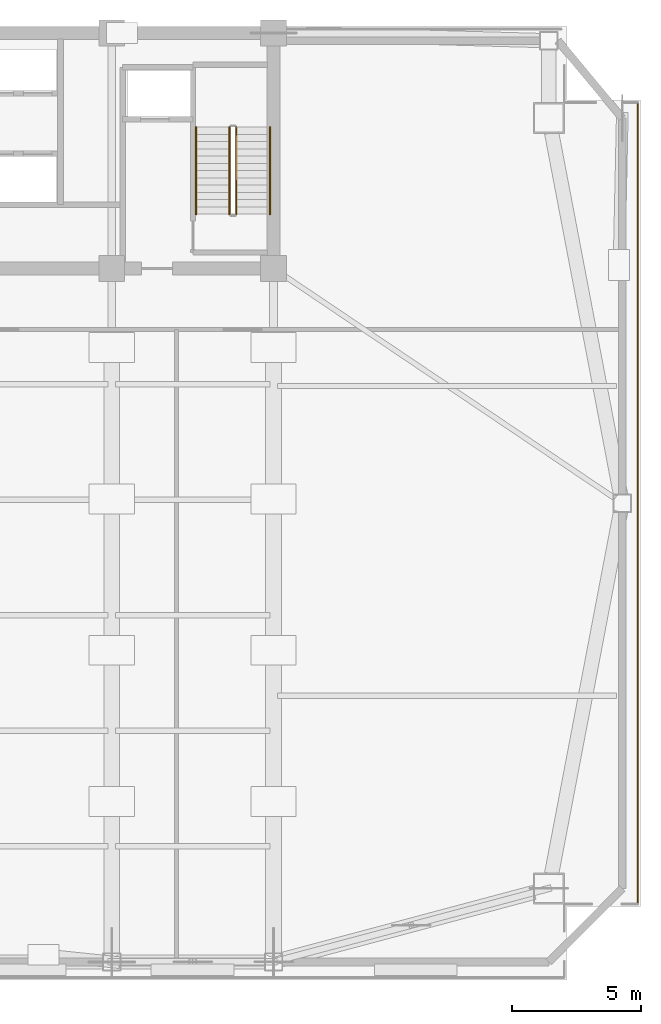
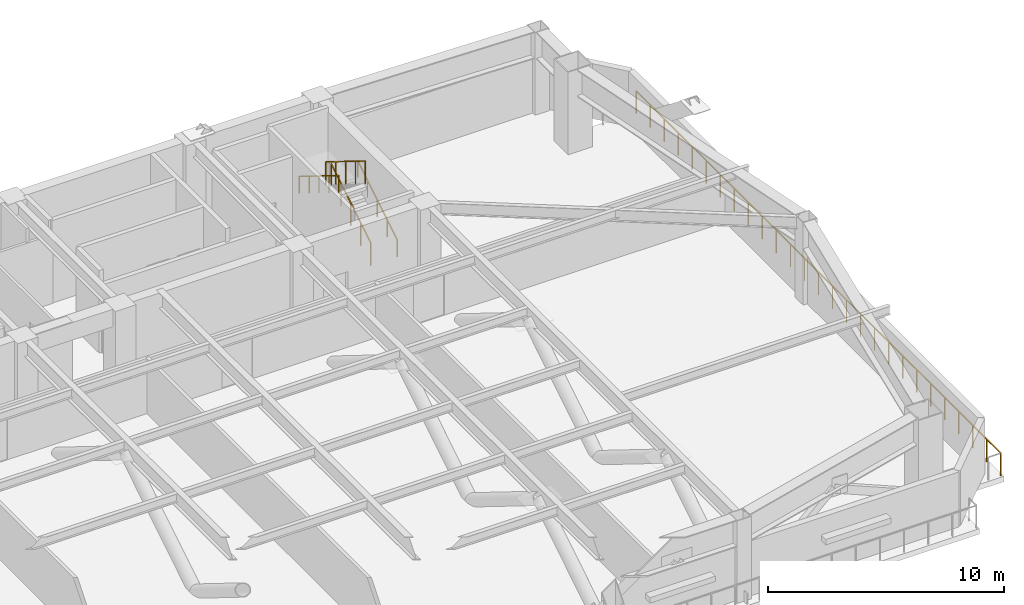
# One storey, part 9 of 11: 5 railings.
"""IFC4 building model written with IfcOpenShell, lengths in metres."""

import ifcopenshell
import ifcopenshell.guid

model = None  # the IFC model being written
_history = None  # IfcOwnerHistory: only IFC2X3 demands one
_inside = {}  # id of a spatial element -> (the spatial element, [elements in it])
_under = {}  # id of a project, library or spatial element -> (it, [spatial elements below it])
_declared = {}  # id of a project -> (the project, [libraries it declares])
_typed = {}  # id of a type object -> (the type object, [elements of that type])
_made_of = {}  # id of a material, layer set ... -> (it, [elements and type objects made of it])


def new_model(schema):
    """Start an empty IFC model of exactly this schema.

    Asked for "IFC4X3", IfcOpenShell would pick the latest addendum, in which some entities
    have other attributes; the version numbers below select the first issue.
    IFC2X3 requires an IfcOwnerHistory on every rooted entity: one is made here for all.
    """
    global model, _history
    if schema == "IFC4X3":
        model = ifcopenshell.file(schema_version=(4, 3, 0, 0))
    else:
        model = ifcopenshell.file(schema=schema)
    _inside.clear()
    _under.clear()
    _declared.clear()
    _typed.clear()
    _made_of.clear()
    _history = None
    if model.schema == "IFC2X3":
        org = make("IfcOrganization", Name="unknown")
        user = make(
            "IfcPersonAndOrganization",
            ThePerson=make("IfcPerson", FamilyName="unknown"),
            TheOrganization=org,
        )
        app = make(
            "IfcApplication",
            ApplicationDeveloper=org,
            Version="unknown",
            ApplicationFullName="unknown",
            ApplicationIdentifier="unknown",
        )
        _history = make(
            "IfcOwnerHistory",
            OwningUser=user,
            OwningApplication=app,
            ChangeAction="ADDED",
            CreationDate=0,
        )
    return model


def make(cls, **values):
    """One entity of the class cls with the attributes given. An attribute that is None is left unset."""
    return model.create_entity(
        cls, **{name: value for name, value in values.items() if value is not None}
    )


def rooted(cls, **values):
    """An entity with a GlobalId (a new one), such as an element, a storey or a relation."""
    return make(cls, GlobalId=ifcopenshell.guid.new(), OwnerHistory=_history, **values)


def si_unit(unit_type, name, prefix=None):
    """IfcSIUnit, for example si_unit("LENGTHUNIT", "METRE", prefix="MILLI")."""
    return make("IfcSIUnit", UnitType=unit_type, Prefix=prefix, Name=name)


def assignment(units):
    """IfcUnitAssignment: the units of a project."""
    return None if units is None else make("IfcUnitAssignment", Units=units)


def point(xyz):
    """IfcCartesianPoint."""
    return None if xyz is None else make("IfcCartesianPoint", Coordinates=xyz)


def direction(xyz):
    """IfcDirection."""
    return None if xyz is None else make("IfcDirection", DirectionRatios=xyz)


def frame(location, z_axis=None, x_axis=None):
    """IfcAxis2Placement3D, a coordinate frame: its origin and axes. An axis left out is left unset."""
    return make(
        "IfcAxis2Placement3D",
        Location=point(location),
        Axis=direction(z_axis),
        RefDirection=direction(x_axis),
    )


def frame_2d(location, x_axis=None):
    """IfcAxis2Placement2D, a coordinate frame in the plane: its origin and x axis."""
    return make(
        "IfcAxis2Placement2D", Location=point(location), RefDirection=direction(x_axis)
    )


def origin():
    """The frame at (0, 0, 0) with its axes left unset."""
    return frame((0.0, 0.0, 0.0))


def origin_2d():
    """The frame at (0, 0) in the plane with its x axis left unset."""
    return frame_2d((0.0, 0.0))


def place(relative_to, where):
    """IfcLocalPlacement: puts the frame where relative to a parent placement (None: the world)."""
    return make(
        "IfcLocalPlacement", PlacementRelTo=relative_to, RelativePlacement=where
    )


def context(
    kind, dimensions, precision=None, world=None, true_north=None, identifier=None
):
    """IfcGeometricRepresentationContext, for example the 3D "Model" context."""
    return make(
        "IfcGeometricRepresentationContext",
        ContextIdentifier=identifier,
        ContextType=kind,
        CoordinateSpaceDimension=dimensions,
        Precision=precision,
        WorldCoordinateSystem=world,
        TrueNorth=true_north,
    )


def subcontext(parent, identifier, kind, view, scale=None):
    """IfcGeometricRepresentationSubContext, for example "Body" below "Model"."""
    return make(
        "IfcGeometricRepresentationSubContext",
        ContextIdentifier=identifier,
        ContextType=kind,
        ParentContext=parent,
        TargetScale=scale,
        TargetView=view,
    )


def project(units=None, contexts=None):
    """IfcProject with its units and contexts."""
    return rooted(
        "IfcProject",
        Name="project",
        RepresentationContexts=contexts,
        UnitsInContext=assignment(units),
    )


def spatial(cls, under=None, at=None, **own):
    """A site, building, storey or space (cls), placed at a placement, below another one or the project."""
    s = rooted(cls, ObjectPlacement=at, **own)
    if under is not None:
        _under.setdefault(under.id(), (under, []))[1].append(s)
    return s


def profile(cls, at=None, kind="AREA", **sizes):
    """A parametric profile (cls). Its sizes go by their IFC names, for example OverallWidth=200.0."""
    return make(cls, ProfileType=kind, Position=at, **sizes)


def rectangle(**sizes):
    """IfcRectangleProfileDef."""
    return profile("IfcRectangleProfileDef", **sizes)


def extrude(swept, where, along, depth):
    """IfcExtrudedAreaSolid: the profile swept, set in the frame where, extruded along a direction by depth."""
    return make(
        "IfcExtrudedAreaSolid",
        SweptArea=swept,
        Position=where,
        ExtrudedDirection=direction(along),
        Depth=depth,
    )


def shape(context_of_items, identifier, shape_type, items):
    """IfcShapeRepresentation: the items that make up one representation, for example the "Body"."""
    return make(
        "IfcShapeRepresentation",
        ContextOfItems=context_of_items,
        RepresentationIdentifier=identifier,
        RepresentationType=shape_type,
        Items=items,
    )


def material(Name=None, Category=None):
    """IfcMaterial."""
    return make("IfcMaterial", Name=Name, Category=Category)


def made_of(thing, what):
    """Note that an element or type object is made of a material, layer set ...; save() writes the relation."""
    if what is not None:
        _made_of.setdefault(what.id(), (what, []))[1].append(thing)
    return thing


def type_object(cls, material=None, **own):
    """A type object (cls), such as IfcWallType, which elements share."""
    return made_of(rooted(cls, **own), material)


def element(
    cls,
    number,
    at=None,
    inside=None,
    cuts=None,
    type_object=None,
    material=None,
    context=None,
    identifier="Body",
    shape_type=None,
    held_by="IfcProductDefinitionShape",
    body=None,
    shapes=None,
    **own,
):
    """One element of the class cls, such as IfcWall. Its Tag is "e" and its number.

    at: its placement. inside: the storey or other place that contains it. cuts: it is an
    opening in that element (IfcRelVoidsElement). A single representation is given by context,
    identifier, shape_type and body (its items); several are given by shapes. held_by: the class
    of the entity that holds the representations. save() writes the other relations.
    """
    e = rooted(cls, Tag="e%d" % number, ObjectPlacement=at, **own)
    if body is not None:
        shapes = [shape(context, identifier, shape_type, body)]
    if shapes is not None:
        e.Representation = make(held_by, Representations=shapes)
    if inside is not None:
        _inside.setdefault(inside.id(), (inside, []))[1].append(e)
    if cuts is not None:
        rooted(
            "IfcRelVoidsElement", RelatingBuildingElement=cuts, RelatedOpeningElement=e
        )
    if type_object is not None:
        _typed.setdefault(type_object.id(), (type_object, []))[1].append(e)
    return made_of(e, material)


def aggregate(whole, parts):
    """IfcRelAggregates: a whole, such as a stair, and the parts it consists of."""
    return rooted("IfcRelAggregates", RelatingObject=whole, RelatedObjects=parts)


def save(model, path):
    """Write the relations noted so far, then the file.

    IfcRelAggregates (storeys below a building ...), IfcRelContainedInSpatialStructure (elements
    in a storey), IfcRelDefinesByType, IfcRelAssociatesMaterial and IfcRelDeclares: one each for
    every whole, place, type object, material and project.
    """
    for whole, parts in _under.values():
        aggregate(whole, parts)
    for where, things in _inside.values():
        rooted(
            "IfcRelContainedInSpatialStructure",
            RelatedElements=things,
            RelatingStructure=where,
        )
    for kind, things in _typed.values():
        rooted("IfcRelDefinesByType", RelatedObjects=things, RelatingType=kind)
    for what, things in _made_of.values():
        rooted("IfcRelAssociatesMaterial", RelatedObjects=things, RelatingMaterial=what)
    for by, libraries in _declared.values():
        rooted("IfcRelDeclares", RelatingContext=by, RelatedDefinitions=libraries)
    model.write(path)


model = new_model("IFC4")

# Units and contexts
model_context = context("Model", 3, precision=1e-05, world=origin(), true_north=direction((0.0, 1.0)))
body_context = subcontext(model_context, "Body", "Model", "MODEL_VIEW")
ifc_project = project(units=[si_unit("LENGTHUNIT", "METRE"), si_unit("AREAUNIT", "SQUARE_METRE"), si_unit("VOLUMEUNIT", "CUBIC_METRE"), si_unit("PLANEANGLEUNIT", "RADIAN"), si_unit("MASSUNIT", "GRAM", prefix="KILO")], contexts=[model_context])

# Site, building, storey
site_placement = place(None, origin())
site = spatial("IfcSite", under=ifc_project, at=site_placement, CompositionType="ELEMENT")
building_placement = place(site_placement, origin())
building = spatial("IfcBuilding", under=site, at=building_placement, Name="Giltprow Tower", CompositionType="ELEMENT")
storey_placement = place(building_placement, frame((0.0, 0.0, 191.199951171875)))
storey = spatial("IfcBuildingStorey", under=building, at=storey_placement, Name="L48", CompositionType="ELEMENT", Elevation=191.199951171875)

# Railings
ifc_material = material(Name="Anodized bronze", Category="metal")
railing_type_1 = type_object("IfcRailingType", Name="RAIL-BALC-GUARD-1200", PredefinedType="BALUSTRADE", material=ifc_material)
railing_1_placement = place(storey_placement, frame((64.612060546875, 43.864990234375, 0.0)))
element("IfcRailing", 1, at=railing_1_placement, inside=storey, type_object=railing_type_1, Name="L48 Corner Apron Edge Balustrade 12", PredefinedType="BALUSTRADE", context=body_context, shape_type="SweptSolid", body=[
    extrude(rectangle(XDim=0.048095703125, YDim=0.048095703125, at=origin_2d()), frame((0.0, 0.0, 1.17578125), z_axis=(0.0, -1.0, 0.0), x_axis=(1.0, 0.0, 0.0)), (0.0, 0.0, 1.0), 30.948974609375),
    extrude(rectangle(XDim=0.0419921875, YDim=0.0419921875, at=origin_2d()), origin(), (0.0, 0.0, 1.0), 1.15185546875),
    extrude(rectangle(XDim=0.0419921875, YDim=0.0419921875, at=origin_2d()), frame((0.0, -1.1904296875, 0.0)), (0.0, 0.0, 1.0), 1.15185546875),
    extrude(rectangle(XDim=0.0419921875, YDim=0.0419921875, at=origin_2d()), frame((0.0, -2.380615234375, 0.0)), (0.0, 0.0, 1.0), 1.15185546875),
    extrude(rectangle(XDim=0.0419921875, YDim=0.0419921875, at=origin_2d()), frame((0.0, -3.571044921875, 0.0)), (0.0, 0.0, 1.0), 1.15185546875),
    extrude(rectangle(XDim=0.0419921875, YDim=0.0419921875, at=origin_2d()), frame((0.0, -4.761474609375, 0.0)), (0.0, 0.0, 1.0), 1.15185546875),
    extrude(rectangle(XDim=0.0419921875, YDim=0.0419921875, at=origin_2d()), frame((0.0, -5.95166015625, 0.0)), (0.0, 0.0, 1.0), 1.15185546875),
    extrude(rectangle(XDim=0.0419921875, YDim=0.0419921875, at=origin_2d()), frame((0.0, -7.14208984375, 0.0)), (0.0, 0.0, 1.0), 1.15185546875),
    extrude(rectangle(XDim=0.0419921875, YDim=0.0419921875, at=origin_2d()), frame((0.0, -8.33251953125, 0.0)), (0.0, 0.0, 1.0), 1.15185546875),
    extrude(rectangle(XDim=0.0419921875, YDim=0.0419921875, at=origin_2d()), frame((0.0, -9.522705078125, 0.0)), (0.0, 0.0, 1.0), 1.15185546875),
    extrude(rectangle(XDim=0.0419921875, YDim=0.0419921875, at=origin_2d()), frame((0.0, -10.713134765625, 0.0)), (0.0, 0.0, 1.0), 1.15185546875),
    extrude(rectangle(XDim=0.0419921875, YDim=0.0419921875, at=origin_2d()), frame((0.0, -11.903564453125, 0.0)), (0.0, 0.0, 1.0), 1.15185546875),
    extrude(rectangle(XDim=0.0419921875, YDim=0.0419921875, at=origin_2d()), frame((0.0, -13.09375, 0.0)), (0.0, 0.0, 1.0), 1.15185546875),
    extrude(rectangle(XDim=0.0419921875, YDim=0.0419921875, at=origin_2d()), frame((0.0, -14.2841796875, 0.0)), (0.0, 0.0, 1.0), 1.15185546875),
    extrude(rectangle(XDim=0.0419921875, YDim=0.0419921875, at=origin_2d()), frame((0.0, -15.474609375, 0.0)), (0.0, 0.0, 1.0), 1.15185546875),
    extrude(rectangle(XDim=0.0419921875, YDim=0.0419921875, at=origin_2d()), frame((0.0, -16.664794921875, 0.0)), (0.0, 0.0, 1.0), 1.15185546875),
    extrude(rectangle(XDim=0.0419921875, YDim=0.0419921875, at=origin_2d()), frame((0.0, -17.855224609375, 0.0)), (0.0, 0.0, 1.0), 1.15185546875),
    extrude(rectangle(XDim=0.0419921875, YDim=0.0419921875, at=origin_2d()), frame((0.0, -19.04541015625, 0.0)), (0.0, 0.0, 1.0), 1.15185546875),
    extrude(rectangle(XDim=0.0419921875, YDim=0.0419921875, at=origin_2d()), frame((0.0, -20.23583984375, 0.0)), (0.0, 0.0, 1.0), 1.15185546875),
    extrude(rectangle(XDim=0.0419921875, YDim=0.0419921875, at=origin_2d()), frame((0.0, -21.42626953125, 0.0)), (0.0, 0.0, 1.0), 1.15185546875),
    extrude(rectangle(XDim=0.0419921875, YDim=0.0419921875, at=origin_2d()), frame((0.0, -22.616455078125, 0.0)), (0.0, 0.0, 1.0), 1.15185546875),
    extrude(rectangle(XDim=0.0419921875, YDim=0.0419921875, at=origin_2d()), frame((0.0, -23.806884765625, 0.0)), (0.0, 0.0, 1.0), 1.15185546875),
    extrude(rectangle(XDim=0.0419921875, YDim=0.0419921875, at=origin_2d()), frame((0.0, -24.997314453125, 0.0)), (0.0, 0.0, 1.0), 1.15185546875),
    extrude(rectangle(XDim=0.0419921875, YDim=0.0419921875, at=origin_2d()), frame((0.0, -26.1875, 0.0)), (0.0, 0.0, 1.0), 1.15185546875),
    extrude(rectangle(XDim=0.0419921875, YDim=0.0419921875, at=origin_2d()), frame((0.0, -27.3779296875, 0.0)), (0.0, 0.0, 1.0), 1.15185546875),
    extrude(rectangle(XDim=0.0419921875, YDim=0.0419921875, at=origin_2d()), frame((0.0, -28.568359375, 0.0)), (0.0, 0.0, 1.0), 1.15185546875),
    extrude(rectangle(XDim=0.0419921875, YDim=0.0419921875, at=origin_2d()), frame((0.0, -29.758544921875, 0.0)), (0.0, 0.0, 1.0), 1.15185546875),
    extrude(rectangle(XDim=0.0419921875, YDim=0.0419921875, at=origin_2d()), frame((0.0, -30.948974609375, 0.0)), (0.0, 0.0, 1.0), 1.15185546875),
])
railing_type_2 = type_object("IfcRailingType", Name="RAIL-STAIR-GUARD-1200", PredefinedType="GUARDRAIL", material=ifc_material)
railing_2_placement = place(storey_placement, frame((49.110107421875, 39.550048828125, 0.173095703125)))
element("IfcRailing", 2, at=railing_2_placement, inside=storey, type_object=railing_type_2, Name="L48 ST-3 stair guard 1", PredefinedType="GUARDRAIL", context=body_context, shape_type="SweptSolid", body=[
    extrude(rectangle(XDim=0.048095703125, YDim=0.048095703125, at=origin_2d()), frame((0.0, 0.0, 1.17578125), z_axis=(0.0, 0.850606129759, 0.525803396734), x_axis=(-1.0, 0.0, 0.0)), (0.0, 0.0, 1.0), 3.949951171875),
    extrude(rectangle(XDim=0.0419921875, YDim=0.0419921875, at=origin_2d()), origin(), (0.0, 0.0, 1.0), 1.15185546875),
    extrude(rectangle(XDim=0.0419921875, YDim=0.0419921875, at=origin_2d()), frame((0.0, 0.83984375, 0.519287109375)), (0.0, 0.0, 1.0), 1.15185546875),
    extrude(rectangle(XDim=0.0419921875, YDim=0.0419921875, at=origin_2d()), frame((0.0, 1.679931640625, 1.03857421875)), (0.0, 0.0, 1.0), 1.15185546875),
    extrude(rectangle(XDim=0.0419921875, YDim=0.0419921875, at=origin_2d()), frame((0.0, 2.52001953125, 1.5576171875)), (0.0, 0.0, 1.0), 1.15185546875),
    extrude(rectangle(XDim=0.0419921875, YDim=0.0419921875, at=origin_2d()), frame((0.0, 3.35986328125, 2.076904296875)), (0.0, 0.0, 1.0), 1.15185546875),
])
railing_3_placement = place(storey_placement, frame((48.85009765625, 42.909912109375, 2.423095703125)))
element("IfcRailing", 3, at=railing_3_placement, inside=storey, type_object=railing_type_2, Name="L48 ST-3 stair guard 3", PredefinedType="GUARDRAIL", context=body_context, shape_type="SweptSolid", body=[
    extrude(rectangle(XDim=0.048095703125, YDim=0.048095703125, at=origin_2d()), frame((0.0, 0.0, 1.17578125), z_axis=(0.0, -0.850606129759, 0.525803396734), x_axis=(1.0, 0.0, 0.0)), (0.0, 0.0, 1.0), 3.949951171875),
    extrude(rectangle(XDim=0.0419921875, YDim=0.0419921875, at=origin_2d()), origin(), (0.0, 0.0, 1.0), 1.15185546875),
    extrude(rectangle(XDim=0.0419921875, YDim=0.0419921875, at=origin_2d()), frame((0.0, -0.83984375, 0.519287109375)), (0.0, 0.0, 1.0), 1.15185546875),
    extrude(rectangle(XDim=0.0419921875, YDim=0.0419921875, at=origin_2d()), frame((0.0, -1.679931640625, 1.03857421875)), (0.0, 0.0, 1.0), 1.15185546875),
    extrude(rectangle(XDim=0.0419921875, YDim=0.0419921875, at=origin_2d()), frame((0.0, -2.52001953125, 1.5576171875)), (0.0, 0.0, 1.0), 1.15185546875),
    extrude(rectangle(XDim=0.0419921875, YDim=0.0419921875, at=origin_2d()), frame((0.0, -3.35986328125, 2.076904296875)), (0.0, 0.0, 1.0), 1.15185546875),
])
railing_type_3 = type_object("IfcRailingType", Name="RAIL-STAIR-HAND-900", PredefinedType="HANDRAIL", material=ifc_material)
railing_4_placement = place(storey_placement, frame((50.409912109375, 39.550048828125, 0.173095703125)))
element("IfcRailing", 4, at=railing_4_placement, inside=storey, type_object=railing_type_3, Name="L48 ST-3 stair handrail 1", PredefinedType="HANDRAIL", context=body_context, shape_type="SweptSolid", body=[
    extrude(rectangle(XDim=0.048095703125, YDim=0.048095703125, at=origin_2d()), frame((0.0, 0.0, 0.8759765625), z_axis=(0.0, 0.850606129759, 0.525803396734), x_axis=(-1.0, 0.0, 0.0)), (0.0, 0.0, 1.0), 3.949951171875),
    extrude(rectangle(XDim=0.0419921875, YDim=0.0419921875, at=origin_2d()), origin(), (0.0, 0.0, 1.0), 0.851806640625),
    extrude(rectangle(XDim=0.0419921875, YDim=0.0419921875, at=origin_2d()), frame((0.0, 0.83984375, 0.519287109375)), (0.0, 0.0, 1.0), 0.851806640625),
    extrude(rectangle(XDim=0.0419921875, YDim=0.0419921875, at=origin_2d()), frame((0.0, 1.679931640625, 1.03857421875)), (0.0, 0.0, 1.0), 0.851806640625),
    extrude(rectangle(XDim=0.0419921875, YDim=0.0419921875, at=origin_2d()), frame((0.0, 2.52001953125, 1.5576171875)), (0.0, 0.0, 1.0), 0.851806640625),
    extrude(rectangle(XDim=0.0419921875, YDim=0.0419921875, at=origin_2d()), frame((0.0, 3.35986328125, 2.076904296875)), (0.0, 0.0, 1.0), 0.851806640625),
])
railing_5_placement = place(storey_placement, frame((47.550048828125, 42.909912109375, 2.423095703125)))
element("IfcRailing", 5, at=railing_5_placement, inside=storey, type_object=railing_type_3, Name="L48 ST-3 stair handrail 2", PredefinedType="HANDRAIL", context=body_context, shape_type="SweptSolid", body=[
    extrude(rectangle(XDim=0.048095703125, YDim=0.048095703125, at=origin_2d()), frame((0.0, 0.0, 0.8759765625), z_axis=(0.0, -0.850606129759, 0.525803396734), x_axis=(1.0, 0.0, 0.0)), (0.0, 0.0, 1.0), 3.949951171875),
    extrude(rectangle(XDim=0.0419921875, YDim=0.0419921875, at=origin_2d()), origin(), (0.0, 0.0, 1.0), 0.851806640625),
    extrude(rectangle(XDim=0.0419921875, YDim=0.0419921875, at=origin_2d()), frame((0.0, -0.83984375, 0.519287109375)), (0.0, 0.0, 1.0), 0.851806640625),
    extrude(rectangle(XDim=0.0419921875, YDim=0.0419921875, at=origin_2d()), frame((0.0, -1.679931640625, 1.03857421875)), (0.0, 0.0, 1.0), 0.851806640625),
    extrude(rectangle(XDim=0.0419921875, YDim=0.0419921875, at=origin_2d()), frame((0.0, -2.52001953125, 1.5576171875)), (0.0, 0.0, 1.0), 0.851806640625),
    extrude(rectangle(XDim=0.0419921875, YDim=0.0419921875, at=origin_2d()), frame((0.0, -3.35986328125, 2.076904296875)), (0.0, 0.0, 1.0), 0.851806640625),
])

save(model, "model.ifc")
